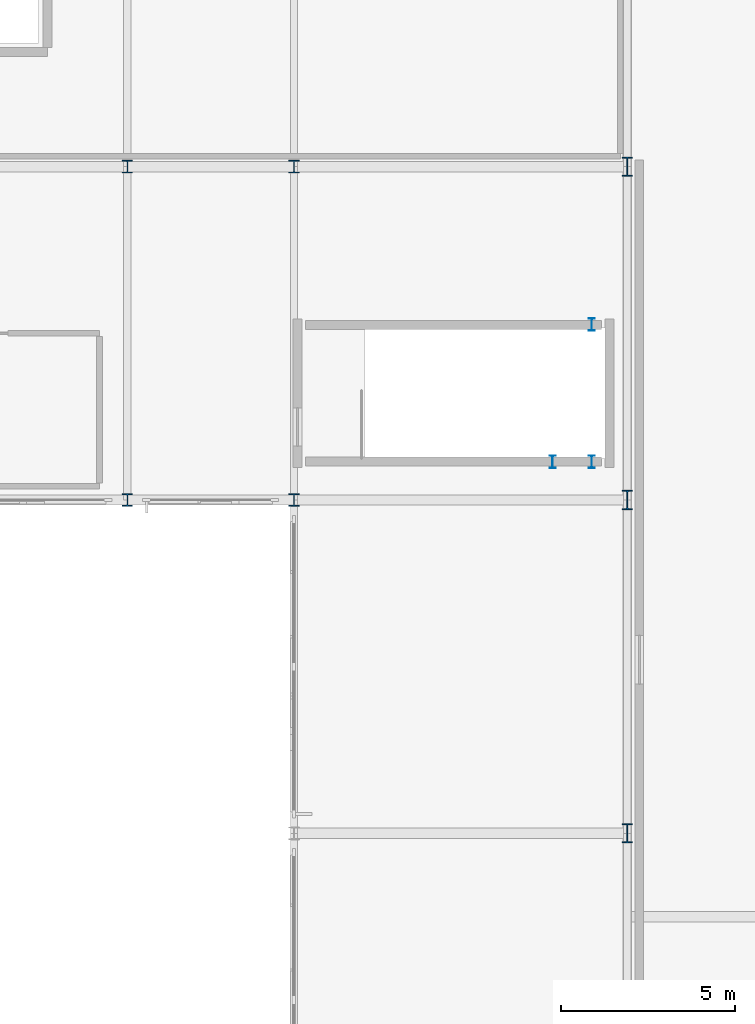
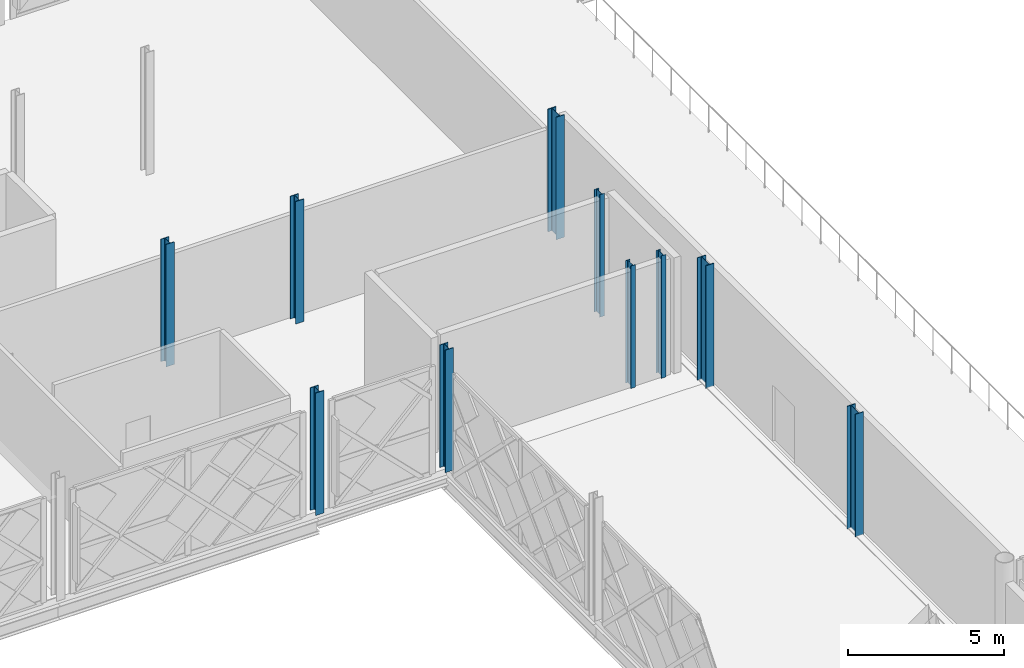
# One storey, part 11 of 77: 10 columns.
"""IFC4 building model written with IfcOpenShell, lengths in metres."""

from ifc_helpers import new_model, si_unit, direction, frame, origin, origin_2d, place, context, subcontext, project, spatial, i_section, extrude, material, material_profile, profile_set, type_object, element, save


model = new_model("IFC4")

# Units and contexts
model_context = context("Model", 3, precision=1e-05, world=origin(), true_north=direction((0.0, 1.0)))
body_context = subcontext(model_context, "Body", "Model", "MODEL_VIEW")
ifc_project = project(units=[si_unit("LENGTHUNIT", "METRE"), si_unit("AREAUNIT", "SQUARE_METRE"), si_unit("VOLUMEUNIT", "CUBIC_METRE"), si_unit("PLANEANGLEUNIT", "RADIAN"), si_unit("MASSUNIT", "GRAM", prefix="KILO")], contexts=[model_context])

# Site, building, storey
site_placement = place(None, origin())
site = spatial("IfcSite", under=ifc_project, at=site_placement, CompositionType="ELEMENT")
building_placement = place(site_placement, origin())
building = spatial("IfcBuilding", under=site, at=building_placement, Name="Zevrakil Square Congress Hotel", CompositionType="ELEMENT")
storey_placement = place(building_placement, frame((0.0, 0.0, 9.89990234375)))
storey = spatial("IfcBuildingStorey", under=building, at=storey_placement, Name="L03", CompositionType="ELEMENT", Elevation=9.89990234375)

# Columns
ifc_material_1 = material(Name="Steel S355", Category="steel")
ifc_material_profile_1 = material_profile(ifc_material_1, i_section(OverallWidth=0.300048828125, OverallDepth=0.360107421875, WebThickness=0.012451171875, FlangeThickness=0.0224609375, FilletRadius=0.027099609375, at=origin_2d()), Name="HEB 360")
ifc_profile_set_1 = profile_set([ifc_material_profile_1], Name="Steel S355")
column_type_1 = type_object("IfcColumnType", Name="COL-HEB360", PredefinedType="COLUMN", material=ifc_profile_set_1)
for number, where, z_axis, x_axis, name in (
    (1, (103.199951171875, 84.0, 0.0), (0.0, 0.0, 1.0), (1.0, 0.0, 0.0), "L03 column C-158"),
    (2, (103.199951171875, 93.60009765625, 0.0), (0.0, 0.0, 1.0), (1.0, 0.0, 0.0), "L03 column C-159"),
    (3, (108.0, 84.0, 0.0), (0.0, 0.0, 1.0), (1.0, 0.0, 0.0), "L03 column C-172"),
    (4, (108.0, 93.60009765625, 0.0), (0.0, 0.0, 1.0), (1.0, 0.0, 0.0), "L03 column C-173"),
):
    element("IfcColumn", number, at=place(storey_placement, frame(where, z_axis=z_axis, x_axis=x_axis)), inside=storey, type_object=column_type_1, Name=name, PredefinedType="COLUMN", context=body_context, shape_type="SweptSolid", body=[
        extrude(i_section(OverallWidth=0.300048828125, OverallDepth=0.360107421875, WebThickness=0.012451171875, FlangeThickness=0.0224609375, FilletRadius=0.027099609375, at=origin_2d()), origin(), (0.0, 0.0, 1.0), 4.800048828125),
    ])
ifc_material_2 = material(Name="Steel S355", Category="steel")
ifc_material_profile_2 = material_profile(ifc_material_2, i_section(OverallWidth=0.300048828125, OverallDepth=0.550048828125, WebThickness=0.014892578125, FlangeThickness=0.029052734375, FilletRadius=0.027099609375, at=origin_2d()), Name="HEB 550")
ifc_profile_set_2 = profile_set([ifc_material_profile_2], Name="Steel S355")
column_type_2 = type_object("IfcColumnType", Name="COL-HEB550", PredefinedType="COLUMN", material=ifc_profile_set_2)
for number, where, z_axis, x_axis, name in (
    (5, (117.60009765625, 74.39990234375, 0.0), (0.0, 0.0, 1.0), (1.0, 0.0, 0.0), "L03 column C-189"),
    (6, (117.60009765625, 84.0, 0.0), (0.0, 0.0, 1.0), (1.0, 0.0, 0.0), "L03 column C-190"),
    (7, (117.60009765625, 93.60009765625, 0.0), (0.0, 0.0, 1.0), (1.0, 0.0, 0.0), "L03 column C-191"),
):
    element("IfcColumn", number, at=place(storey_placement, frame(where, z_axis=z_axis, x_axis=x_axis)), inside=storey, type_object=column_type_2, Name=name, PredefinedType="COLUMN", context=body_context, shape_type="SweptSolid", body=[
        extrude(i_section(OverallWidth=0.300048828125, OverallDepth=0.550048828125, WebThickness=0.014892578125, FlangeThickness=0.029052734375, FilletRadius=0.027099609375, at=origin_2d()), origin(), (0.0, 0.0, 1.0), 4.800048828125),
    ])
ifc_material_3 = material(Name="Steel S355", Category="steel")
ifc_material_profile_3 = material_profile(ifc_material_3, i_section(OverallWidth=0.169921875, OverallDepth=0.360107421875, WebThickness=0.008056640625, FlangeThickness=0.0126953125, FilletRadius=0.01806640625, at=origin_2d()), Name="IPE 360")
ifc_profile_set_3 = profile_set([ifc_material_profile_3], Name="Steel S355")
column_type_3 = type_object("IfcColumnType", Name="COL-PILASTER-SHS180", PredefinedType="PILASTER", material=ifc_profile_set_3)
for number, where, z_axis, x_axis, name in (
    (8, (115.449951171875, 85.10009765625, 0.0), (0.0, 0.0, 1.0), (1.0, 0.0, 0.0), "L03 ST06 stair shaft post 1"),
    (9, (116.580078125, 85.10009765625, 0.0), (0.0, 0.0, 1.0), (1.0, 0.0, 0.0), "L03 ST06 stair shaft post 2"),
    (10, (116.580078125, 89.050048828125, 0.0), (0.0, 0.0, 1.0), (1.0, 0.0, 0.0), "L03 ST06 stair shaft post 3"),
):
    element("IfcColumn", number, at=place(storey_placement, frame(where, z_axis=z_axis, x_axis=x_axis)), inside=storey, type_object=column_type_3, Name=name, PredefinedType="PILASTER", context=body_context, shape_type="SweptSolid", body=[
        extrude(i_section(OverallWidth=0.169921875, OverallDepth=0.360107421875, WebThickness=0.008056640625, FlangeThickness=0.0126953125, FilletRadius=0.01806640625, at=origin_2d()), origin(), (0.0, 0.0, 1.0), 4.800048828125),
    ])

save(model, "model.ifc")
